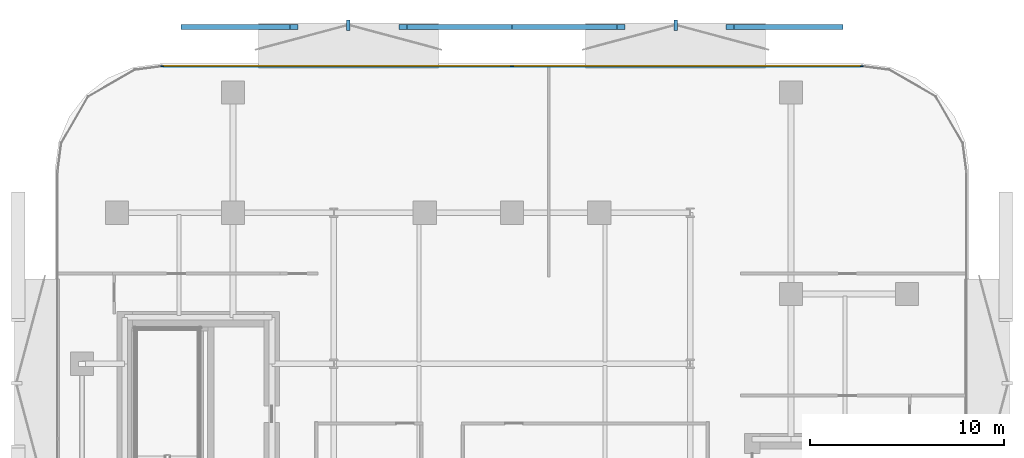
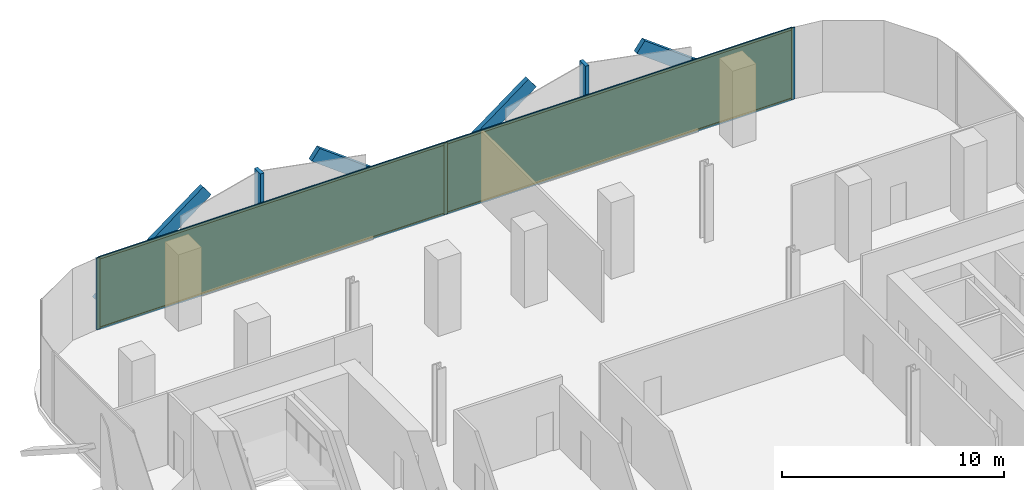
# One storey, part 10 of 15: 13 members, 2 plates, 1 curtain wall.
"""IFC4 building model written with IfcOpenShell, lengths in metres."""

from ifc_helpers import new_model, si_unit, direction, frame, frame_2d, origin, origin_2d, place, context, subcontext, project, spatial, rectangle, extrude, material, layer, layer_set, material_profile, profile_set, type_object, element, aggregate, save


model = new_model("IFC4")

# Units and contexts
model_context = context("Model", 3, precision=1e-05, world=origin(), true_north=direction((0.0, 1.0)))
body_context = subcontext(model_context, "Body", "Model", "MODEL_VIEW")
ifc_project = project(units=[si_unit("LENGTHUNIT", "METRE"), si_unit("AREAUNIT", "SQUARE_METRE"), si_unit("VOLUMEUNIT", "CUBIC_METRE"), si_unit("PLANEANGLEUNIT", "RADIAN"), si_unit("MASSUNIT", "GRAM", prefix="KILO")], contexts=[model_context])

# Member
ifc_material_1 = material(Name="Anodised Bronze Aluminium 6063-T6", Category="aluminium")
ifc_material_profile_1 = material_profile(ifc_material_1, rectangle(XDim=0.260009765625, YDim=0.699951171875, at=origin_2d()))
ifc_profile_set_1 = profile_set([ifc_material_profile_1], Name="Anodised Bronze Aluminium 6063-T6")
member_type_1 = type_object("IfcMemberType", Name="Bronze Diamond Solar-Screen Lattice Rib BDL-700", PredefinedType="MULLION", material=ifc_profile_set_1)
site_placement = place(None, origin())
building_placement = place(site_placement, origin())
storey_placement = place(building_placement, frame((0.0, 0.0, 105.800048828125)))
member_1_placement = place(storey_placement, frame((-16.890869140625, 28.199951171875, -0.130126953125), z_axis=(0.801540515917, 0.0, 0.597940466388), x_axis=(0.0, 1.0, 0.0)))
member_1 = element("IfcMember", 1, at=member_1_placement, type_object=member_type_1, Name="L24 Bronze Diamond Solar Screen Lattice Rib 141A", PredefinedType="MULLION", context=body_context, shape_type="SweptSolid", body=[
    extrude(rectangle(XDim=0.260009765625, YDim=0.699951171875, at=origin_2d()), origin(), (0.0, 0.0, 1.0), 7.0244140625),
])

member_2_placement = place(storey_placement, frame((0.0, 28.199951171875, -0.130126953125), z_axis=(-0.801540515917, 0.0, 0.597940466388), x_axis=(0.0, -1.0, 0.0)))
member_2 = element("IfcMember", 2, at=member_2_placement, type_object=member_type_1, Name="L24 Bronze Diamond Solar Screen Lattice Rib 141B", PredefinedType="MULLION", context=body_context, shape_type="SweptSolid", body=[
    extrude(rectangle(XDim=0.260009765625, YDim=0.699951171875, at=origin_2d()), origin(), (0.0, 0.0, 1.0), 7.0244140625),
])

member_3_placement = place(storey_placement, frame((0.0, 28.199951171875, -0.130126953125), z_axis=(0.801540515917, 0.0, 0.597940466388), x_axis=(0.0, 1.0, 0.0)))
member_3 = element("IfcMember", 3, at=member_3_placement, type_object=member_type_1, Name="L24 Bronze Diamond Solar Screen Lattice Rib 142A", PredefinedType="MULLION", context=body_context, shape_type="SweptSolid", body=[
    extrude(rectangle(XDim=0.260009765625, YDim=0.699951171875, at=origin_2d()), origin(), (0.0, 0.0, 1.0), 7.0244140625),
])

member_4_placement = place(storey_placement, frame((16.890869140625, 28.199951171875, -0.130126953125), z_axis=(-0.801540515917, 0.0, 0.597940466388), x_axis=(0.0, -1.0, 0.0)))
member_4 = element("IfcMember", 4, at=member_4_placement, type_object=member_type_1, Name="L24 Bronze Diamond Solar Screen Lattice Rib 142B", PredefinedType="MULLION", context=body_context, shape_type="SweptSolid", body=[
    extrude(rectangle(XDim=0.260009765625, YDim=0.699951171875, at=origin_2d()), origin(), (0.0, 0.0, 1.0), 7.0244140625),
])

ifc_material_2 = material(Name="Anodised Bronze Aluminium 6063-T6", Category="aluminium")
ifc_material_profile_2 = material_profile(ifc_material_2, rectangle(XDim=0.179931640625, YDim=0.5400390625, at=origin_2d()))
ifc_profile_set_2 = profile_set([ifc_material_profile_2], Name="Anodised Bronze Aluminium 6063-T6")
member_type_2 = type_object("IfcMemberType", Name="Bronze Solar-Screen Vertical Fold Fin BSF-540", PredefinedType="MULLION", material=ifc_profile_set_2)
member_5_placement = place(storey_placement, frame((-8.4453125, 28.280029296875, -0.130126953125), z_axis=(0.0, 0.0, 1.0), x_axis=(1.0, 0.0, 0.0)))
member_5 = element("IfcMember", 5, at=member_5_placement, type_object=member_type_2, Name="L24 Bronze Solar Screen Vertical Fin 141", PredefinedType="MULLION", context=body_context, shape_type="SweptSolid", body=[
    extrude(rectangle(XDim=0.179931640625, YDim=0.5400390625, at=origin_2d()), origin(), (0.0, 0.0, 1.0), 4.2001953125),
])

member_6_placement = place(storey_placement, frame((8.4453125, 28.280029296875, -0.130126953125), z_axis=(0.0, 0.0, 1.0), x_axis=(1.0, 0.0, 0.0)))
member_6 = element("IfcMember", 6, at=member_6_placement, type_object=member_type_2, Name="L24 Bronze Solar Screen Vertical Fin 142", PredefinedType="MULLION", context=body_context, shape_type="SweptSolid", body=[
    extrude(rectangle(XDim=0.179931640625, YDim=0.5400390625, at=origin_2d()), origin(), (0.0, 0.0, 1.0), 4.2001953125),
])

ifc_material_3 = material(Name="Anodised Bronze Aluminium 6063-T6", Category="aluminium")
ifc_material_profile_3 = material_profile(ifc_material_3, rectangle(XDim=0.06494140625, YDim=0.175048828125, at=origin_2d()))
ifc_profile_set_3 = profile_set([ifc_material_profile_3], Name="Anodised Bronze Aluminium 6063-T6")
member_type_3 = type_object("IfcMemberType", Name="CW-Z2 Mullion 65x175", PredefinedType="MULLION", material=ifc_profile_set_3)
member_7_placement = place(storey_placement, frame((-18.058349609375, 26.159912109375, 0.0), z_axis=(0.0, 0.0, 1.0), x_axis=(0.0, 1.0, 0.0)))
member_7 = element("IfcMember", 7, at=member_7_placement, type_object=member_type_3, Name="CW-Z2 mullion 1", PredefinedType="MULLION", context=body_context, shape_type="SweptSolid", body=[
    extrude(rectangle(XDim=0.06494140625, YDim=0.175048828125, at=origin_2d()), origin(), (0.0, 0.0, 1.0), 3.93994140625),
])

member_8_placement = place(storey_placement, frame((0.0, 26.159912109375, 0.0), z_axis=(0.0, 0.0, 1.0), x_axis=(0.0, 1.0, 0.0)))
member_8 = element("IfcMember", 8, at=member_8_placement, type_object=member_type_3, Name="CW-Z2 mullion 2", PredefinedType="MULLION", context=body_context, shape_type="SweptSolid", body=[
    extrude(rectangle(XDim=0.06494140625, YDim=0.175048828125, at=origin_2d()), origin(), (0.0, 0.0, 1.0), 3.93994140625),
])

member_9_placement = place(storey_placement, frame((18.058349609375, 26.159912109375, 0.0), z_axis=(0.0, 0.0, 1.0), x_axis=(0.0, 1.0, 0.0)))
member_9 = element("IfcMember", 9, at=member_9_placement, type_object=member_type_3, Name="CW-Z2 mullion 3", PredefinedType="MULLION", context=body_context, shape_type="SweptSolid", body=[
    extrude(rectangle(XDim=0.06494140625, YDim=0.175048828125, at=origin_2d()), origin(), (0.0, 0.0, 1.0), 3.93994140625),
])

ifc_material_4 = material(Name="Anodised Bronze Aluminium 6063-T6", Category="aluminium")
ifc_material_profile_4 = material_profile(ifc_material_4, rectangle(XDim=0.06494140625, YDim=0.135009765625, at=origin_2d()))
ifc_profile_set_4 = profile_set([ifc_material_profile_4], Name="Anodised Bronze Aluminium 6063-T6")
member_type_4 = type_object("IfcMemberType", Name="CW-Z2 Transom 65x135", PredefinedType="USERDEFINED", material=ifc_profile_set_4)
member_10_placement = place(storey_placement, frame((-18.02587890625, 26.159912109375, 0.032470703125), z_axis=(1.0, 0.0, 0.0), x_axis=(0.0, 1.0, 0.0)))
member_10 = element("IfcMember", 10, at=member_10_placement, type_object=member_type_4, Name="CW-Z2 transom 1.1", ObjectType="TRANSOM", PredefinedType="USERDEFINED", context=body_context, shape_type="SweptSolid", body=[
    extrude(rectangle(XDim=0.06494140625, YDim=0.135009765625, at=origin_2d()), origin(), (0.0, 0.0, 1.0), 17.993408203125),
])

member_11_placement = place(storey_placement, frame((-18.02587890625, 26.159912109375, 3.907470703125), z_axis=(1.0, 0.0, 0.0), x_axis=(0.0, 1.0, 0.0)))
member_11 = element("IfcMember", 11, at=member_11_placement, type_object=member_type_4, Name="CW-Z2 transom 1.2", ObjectType="TRANSOM", PredefinedType="USERDEFINED", context=body_context, shape_type="SweptSolid", body=[
    extrude(rectangle(XDim=0.06494140625, YDim=0.135009765625, at=origin_2d()), origin(), (0.0, 0.0, 1.0), 17.993408203125),
])

member_12_placement = place(storey_placement, frame((0.032470703125, 26.159912109375, 0.032470703125), z_axis=(1.0, 0.0, 0.0), x_axis=(0.0, 1.0, 0.0)))
member_12 = element("IfcMember", 12, at=member_12_placement, type_object=member_type_4, Name="CW-Z2 transom 2.1", ObjectType="TRANSOM", PredefinedType="USERDEFINED", context=body_context, shape_type="SweptSolid", body=[
    extrude(rectangle(XDim=0.06494140625, YDim=0.135009765625, at=origin_2d()), origin(), (0.0, 0.0, 1.0), 17.993408203125),
])

member_13_placement = place(storey_placement, frame((0.032470703125, 26.159912109375, 3.907470703125), z_axis=(1.0, 0.0, 0.0), x_axis=(0.0, 1.0, 0.0)))
member_13 = element("IfcMember", 13, at=member_13_placement, type_object=member_type_4, Name="CW-Z2 transom 2.2", ObjectType="TRANSOM", PredefinedType="USERDEFINED", context=body_context, shape_type="SweptSolid", body=[
    extrude(rectangle(XDim=0.06494140625, YDim=0.135009765625, at=origin_2d()), origin(), (0.0, 0.0, 1.0), 17.993408203125),
])

# Plate
ifc_material_5 = material(Name="Low-E Solar Control Laminated Glass", Category="glass")
ifc_layer_1 = layer(ifc_material_5, 0.028076171875, Name="Low-E Solar Control Laminated Glass")
ifc_layer_set_1 = layer_set([ifc_layer_1], Name="Low-E Solar Control Laminated Glass")
plate_type = type_object("IfcPlateType", Name="CW-Z2 Low-E Double Glazed Panel 28mm", PredefinedType="CURTAIN_PANEL", material=ifc_layer_set_1)
plate_1_placement = place(storey_placement, frame((-9.029052734375, 26.159912109375, 0.06494140625), z_axis=(0.0, 0.0, 1.0), x_axis=(1.0, 0.0, 0.0)))
plate_1 = element("IfcPlate", 14, at=plate_1_placement, type_object=plate_type, Name="CW-Z2 panel 1.1", PredefinedType="CURTAIN_PANEL", context=body_context, shape_type="SweptSolid", body=[
    extrude(rectangle(XDim=17.993408203125, YDim=0.028076171875, at=origin_2d()), origin(), (0.0, 0.0, 1.0), 3.81005859375),
])

plate_2_placement = place(storey_placement, frame((9.029052734375, 26.159912109375, 0.06494140625), z_axis=(0.0, 0.0, 1.0), x_axis=(1.0, 0.0, 0.0)))
plate_2 = element("IfcPlate", 15, at=plate_2_placement, type_object=plate_type, Name="CW-Z2 panel 2.1", PredefinedType="CURTAIN_PANEL", context=body_context, shape_type="SweptSolid", body=[
    extrude(rectangle(XDim=17.993408203125, YDim=0.028076171875, at=origin_2d()), origin(), (0.0, 0.0, 1.0), 3.81005859375),
])

# Site, building, storey
site = spatial("IfcSite", under=ifc_project, at=site_placement, CompositionType="ELEMENT")
building = spatial("IfcBuilding", under=site, at=building_placement, Name="Khairoan Windgate Tower", CompositionType="ELEMENT")
storey = spatial("IfcBuildingStorey", under=building, at=storey_placement, Name="L24", CompositionType="ELEMENT", Elevation=105.800048828125)

# Curtain wall
ifc_material_6 = material(Name="Anodised Bronze Aluminium 6063-T6", Category="aluminium")
ifc_layer_2 = layer(ifc_material_6, 0.175048828125, Name="Anodised Bronze Aluminium 6063-T6")
ifc_layer_set_2 = layer_set([ifc_layer_2], Name="Anodised Bronze Aluminium 6063-T6")
curtain_wall_type = type_object("IfcCurtainWallType", Name="Mid-Rise Office Unitised Curtain Wall CW-Z2", PredefinedType="NOTDEFINED", material=ifc_layer_set_2)
curtain_wall_placement = place(storey_placement, frame((-18.0908203125, 26.159912109375, 0.0), z_axis=(0.0, 0.0, 1.0), x_axis=(1.0, 0.0, 0.0)))
curtain_wall = element("IfcCurtainWall", 16, at=curtain_wall_placement, inside=storey, type_object=curtain_wall_type, Name="L24 Unitised Curtain Wall 11", PredefinedType="NOTDEFINED", context=body_context, shape_type="SweptSolid", body=[
    extrude(rectangle(XDim=36.181640625, YDim=0.010009765625, at=frame_2d((18.0908203125, 0.0))), origin(), (0.0, 0.0, 1.0), 3.93994140625),
])

aggregate(curtain_wall, [member_7, member_8, member_9, member_10, member_11, plate_1, member_12, member_13, plate_2, member_1, member_2, member_5, member_3, member_4, member_6])

save(model, "model.ifc")
